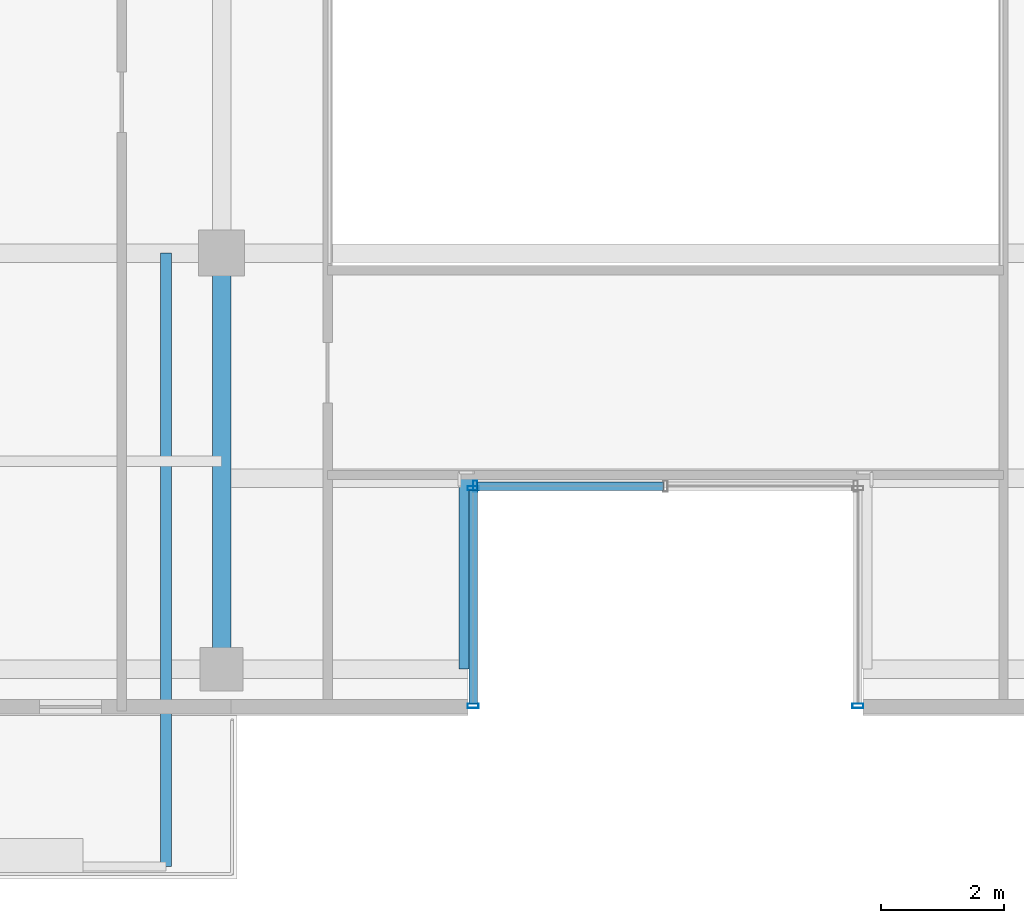
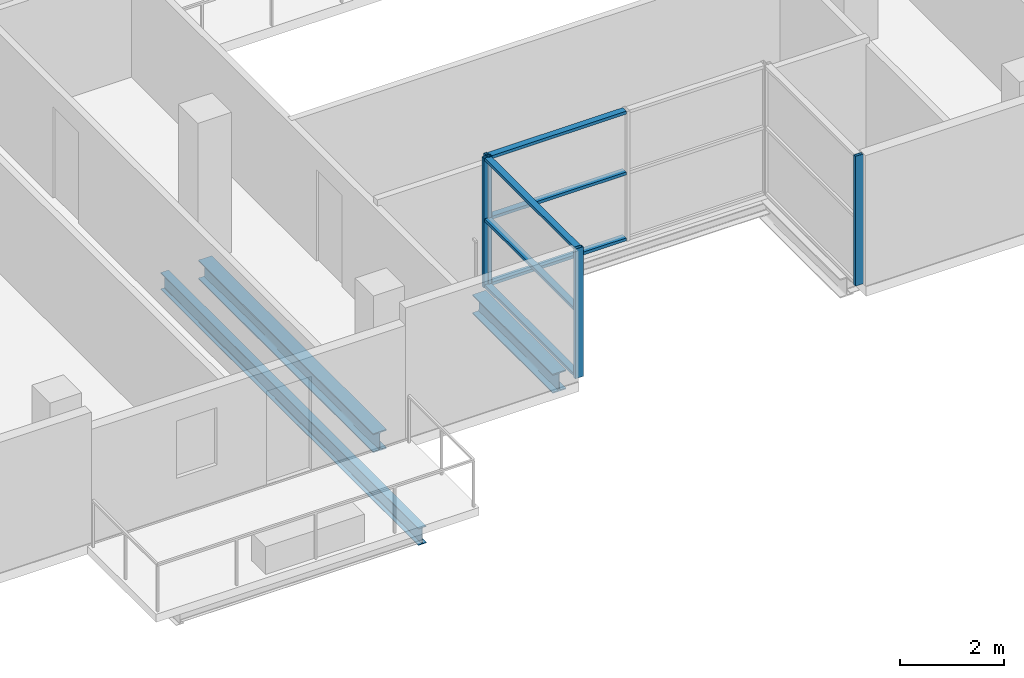
# One storey, part 3 of 22: 10 members, 3 beams, 3 elements without a shape of their own.
"""IFC4 building model written with IfcOpenShell, lengths in metres."""

import ifcopenshell
import ifcopenshell.guid

model = None  # the IFC model being written
_history = None  # IfcOwnerHistory: only IFC2X3 demands one
_inside = {}  # id of a spatial element -> (the spatial element, [elements in it])
_under = {}  # id of a project, library or spatial element -> (it, [spatial elements below it])
_declared = {}  # id of a project -> (the project, [libraries it declares])
_typed = {}  # id of a type object -> (the type object, [elements of that type])
_made_of = {}  # id of a material, layer set ... -> (it, [elements and type objects made of it])


def new_model(schema):
    """Start an empty IFC model of exactly this schema.

    Asked for "IFC4X3", IfcOpenShell would pick the latest addendum, in which some entities
    have other attributes; the version numbers below select the first issue.
    IFC2X3 requires an IfcOwnerHistory on every rooted entity: one is made here for all.
    """
    global model, _history
    if schema == "IFC4X3":
        model = ifcopenshell.file(schema_version=(4, 3, 0, 0))
    else:
        model = ifcopenshell.file(schema=schema)
    _inside.clear()
    _under.clear()
    _declared.clear()
    _typed.clear()
    _made_of.clear()
    _history = None
    if model.schema == "IFC2X3":
        org = make("IfcOrganization", Name="unknown")
        user = make(
            "IfcPersonAndOrganization",
            ThePerson=make("IfcPerson", FamilyName="unknown"),
            TheOrganization=org,
        )
        app = make(
            "IfcApplication",
            ApplicationDeveloper=org,
            Version="unknown",
            ApplicationFullName="unknown",
            ApplicationIdentifier="unknown",
        )
        _history = make(
            "IfcOwnerHistory",
            OwningUser=user,
            OwningApplication=app,
            ChangeAction="ADDED",
            CreationDate=0,
        )
    return model


def make(cls, **values):
    """One entity of the class cls with the attributes given. An attribute that is None is left unset."""
    return model.create_entity(
        cls, **{name: value for name, value in values.items() if value is not None}
    )


def rooted(cls, **values):
    """An entity with a GlobalId (a new one), such as an element, a storey or a relation."""
    return make(cls, GlobalId=ifcopenshell.guid.new(), OwnerHistory=_history, **values)


def si_unit(unit_type, name, prefix=None):
    """IfcSIUnit, for example si_unit("LENGTHUNIT", "METRE", prefix="MILLI")."""
    return make("IfcSIUnit", UnitType=unit_type, Prefix=prefix, Name=name)


def assignment(units):
    """IfcUnitAssignment: the units of a project."""
    return None if units is None else make("IfcUnitAssignment", Units=units)


def point(xyz):
    """IfcCartesianPoint."""
    return None if xyz is None else make("IfcCartesianPoint", Coordinates=xyz)


def direction(xyz):
    """IfcDirection."""
    return None if xyz is None else make("IfcDirection", DirectionRatios=xyz)


def frame(location, z_axis=None, x_axis=None):
    """IfcAxis2Placement3D, a coordinate frame: its origin and axes. An axis left out is left unset."""
    return make(
        "IfcAxis2Placement3D",
        Location=point(location),
        Axis=direction(z_axis),
        RefDirection=direction(x_axis),
    )


def frame_2d(location, x_axis=None):
    """IfcAxis2Placement2D, a coordinate frame in the plane: its origin and x axis."""
    return make(
        "IfcAxis2Placement2D", Location=point(location), RefDirection=direction(x_axis)
    )


def origin():
    """The frame at (0, 0, 0) with its axes left unset."""
    return frame((0.0, 0.0, 0.0))


def origin_2d():
    """The frame at (0, 0) in the plane with its x axis left unset."""
    return frame_2d((0.0, 0.0))


def place(relative_to, where):
    """IfcLocalPlacement: puts the frame where relative to a parent placement (None: the world)."""
    return make(
        "IfcLocalPlacement", PlacementRelTo=relative_to, RelativePlacement=where
    )


def context(
    kind, dimensions, precision=None, world=None, true_north=None, identifier=None
):
    """IfcGeometricRepresentationContext, for example the 3D "Model" context."""
    return make(
        "IfcGeometricRepresentationContext",
        ContextIdentifier=identifier,
        ContextType=kind,
        CoordinateSpaceDimension=dimensions,
        Precision=precision,
        WorldCoordinateSystem=world,
        TrueNorth=true_north,
    )


def subcontext(parent, identifier, kind, view, scale=None):
    """IfcGeometricRepresentationSubContext, for example "Body" below "Model"."""
    return make(
        "IfcGeometricRepresentationSubContext",
        ContextIdentifier=identifier,
        ContextType=kind,
        ParentContext=parent,
        TargetScale=scale,
        TargetView=view,
    )


def project(units=None, contexts=None):
    """IfcProject with its units and contexts."""
    return rooted(
        "IfcProject",
        Name="project",
        RepresentationContexts=contexts,
        UnitsInContext=assignment(units),
    )


def spatial(cls, under=None, at=None, **own):
    """A site, building, storey or space (cls), placed at a placement, below another one or the project."""
    s = rooted(cls, ObjectPlacement=at, **own)
    if under is not None:
        _under.setdefault(under.id(), (under, []))[1].append(s)
    return s


def profile(cls, at=None, kind="AREA", **sizes):
    """A parametric profile (cls). Its sizes go by their IFC names, for example OverallWidth=200.0."""
    return make(cls, ProfileType=kind, Position=at, **sizes)


def hollow_rectangle(**sizes):
    """IfcRectangleHollowProfileDef."""
    return profile("IfcRectangleHollowProfileDef", **sizes)


def i_section(**sizes):
    """IfcIShapeProfileDef."""
    return profile("IfcIShapeProfileDef", **sizes)


def extrude(swept, where, along, depth):
    """IfcExtrudedAreaSolid: the profile swept, set in the frame where, extruded along a direction by depth."""
    return make(
        "IfcExtrudedAreaSolid",
        SweptArea=swept,
        Position=where,
        ExtrudedDirection=direction(along),
        Depth=depth,
    )


def shape(context_of_items, identifier, shape_type, items):
    """IfcShapeRepresentation: the items that make up one representation, for example the "Body"."""
    return make(
        "IfcShapeRepresentation",
        ContextOfItems=context_of_items,
        RepresentationIdentifier=identifier,
        RepresentationType=shape_type,
        Items=items,
    )


def source(mapping_origin, context_of_items, identifier, shape_type, items):
    """IfcRepresentationMap: a shape defined once, which mapped items show again and again."""
    return make(
        "IfcRepresentationMap",
        MappingOrigin=mapping_origin,
        MappedRepresentation=shape(context_of_items, identifier, shape_type, items),
    )


def transform(
    local_origin,
    x_axis=None,
    y_axis=None,
    z_axis=None,
    scale=None,
    scale2=None,
    scale3=None,
    uniform=True,
):
    """IfcCartesianTransformationOperator3D, or its non-uniform kind. x_axis, y_axis, z_axis: its Axis1, 2, 3."""
    if uniform:
        return make(
            "IfcCartesianTransformationOperator3D",
            Axis1=direction(x_axis),
            Axis2=direction(y_axis),
            LocalOrigin=point(local_origin),
            Scale=scale,
            Axis3=direction(z_axis),
        )
    return make(
        "IfcCartesianTransformationOperator3DnonUniform",
        Axis1=direction(x_axis),
        Axis2=direction(y_axis),
        LocalOrigin=point(local_origin),
        Scale=scale,
        Axis3=direction(z_axis),
        Scale2=scale2,
        Scale3=scale3,
    )


def mapped(mapping_source, mapping_target):
    """IfcMappedItem: shows the shape of a source again, moved by a transform."""
    return make(
        "IfcMappedItem", MappingSource=mapping_source, MappingTarget=mapping_target
    )


def material(Name=None, Category=None):
    """IfcMaterial."""
    return make("IfcMaterial", Name=Name, Category=Category)


def layer(
    of_material, thickness, ventilated=None, Name=None, Category=None, Priority=None
):
    """IfcMaterialLayer: one layer of a wall or slab, of a material (None: an air gap)."""
    return make(
        "IfcMaterialLayer",
        Material=of_material,
        LayerThickness=thickness,
        IsVentilated=ventilated,
        Name=Name,
        Category=Category,
        Priority=Priority,
    )


def layer_set(layers, Name=None):
    """IfcMaterialLayerSet."""
    return make("IfcMaterialLayerSet", MaterialLayers=layers, LayerSetName=Name)


def material_profile(
    of_material, cross_section, Name=None, Category=None, Priority=None
):
    """IfcMaterialProfile: a cross section and its material."""
    return make(
        "IfcMaterialProfile",
        Name=Name,
        Material=of_material,
        Profile=cross_section,
        Priority=Priority,
        Category=Category,
    )


def profile_set(profiles, Name=None, composite=None):
    """IfcMaterialProfileSet."""
    return make(
        "IfcMaterialProfileSet",
        Name=Name,
        MaterialProfiles=profiles,
        CompositeProfile=composite,
    )


def made_of(thing, what):
    """Note that an element or type object is made of a material, layer set ...; save() writes the relation."""
    if what is not None:
        _made_of.setdefault(what.id(), (what, []))[1].append(thing)
    return thing


def type_object(cls, material=None, **own):
    """A type object (cls), such as IfcWallType, which elements share."""
    return made_of(rooted(cls, **own), material)


def element(
    cls,
    number,
    at=None,
    inside=None,
    cuts=None,
    type_object=None,
    material=None,
    context=None,
    identifier="Body",
    shape_type=None,
    held_by="IfcProductDefinitionShape",
    body=None,
    shapes=None,
    **own,
):
    """One element of the class cls, such as IfcWall. Its Tag is "e" and its number.

    at: its placement. inside: the storey or other place that contains it. cuts: it is an
    opening in that element (IfcRelVoidsElement). A single representation is given by context,
    identifier, shape_type and body (its items); several are given by shapes. held_by: the class
    of the entity that holds the representations. save() writes the other relations.
    """
    e = rooted(cls, Tag="e%d" % number, ObjectPlacement=at, **own)
    if body is not None:
        shapes = [shape(context, identifier, shape_type, body)]
    if shapes is not None:
        e.Representation = make(held_by, Representations=shapes)
    if inside is not None:
        _inside.setdefault(inside.id(), (inside, []))[1].append(e)
    if cuts is not None:
        rooted(
            "IfcRelVoidsElement", RelatingBuildingElement=cuts, RelatedOpeningElement=e
        )
    if type_object is not None:
        _typed.setdefault(type_object.id(), (type_object, []))[1].append(e)
    return made_of(e, material)


def aggregate(whole, parts):
    """IfcRelAggregates: a whole, such as a stair, and the parts it consists of."""
    return rooted("IfcRelAggregates", RelatingObject=whole, RelatedObjects=parts)


def save(model, path):
    """Write the relations noted so far, then the file.

    IfcRelAggregates (storeys below a building ...), IfcRelContainedInSpatialStructure (elements
    in a storey), IfcRelDefinesByType, IfcRelAssociatesMaterial and IfcRelDeclares: one each for
    every whole, place, type object, material and project.
    """
    for whole, parts in _under.values():
        aggregate(whole, parts)
    for where, things in _inside.values():
        rooted(
            "IfcRelContainedInSpatialStructure",
            RelatedElements=things,
            RelatingStructure=where,
        )
    for kind, things in _typed.values():
        rooted("IfcRelDefinesByType", RelatedObjects=things, RelatingType=kind)
    for what, things in _made_of.values():
        rooted("IfcRelAssociatesMaterial", RelatedObjects=things, RelatingMaterial=what)
    for by, libraries in _declared.values():
        rooted("IfcRelDeclares", RelatingContext=by, RelatedDefinitions=libraries)
    model.write(path)


model = new_model("IFC4")

# Units and contexts
model_context = context("Model", 3, precision=1e-05, world=origin(), true_north=direction((0.0, 1.0)))
body_context = subcontext(model_context, "Body", "Model", "MODEL_VIEW")
ifc_project = project(units=[si_unit("LENGTHUNIT", "METRE"), si_unit("AREAUNIT", "SQUARE_METRE"), si_unit("VOLUMEUNIT", "CUBIC_METRE"), si_unit("PLANEANGLEUNIT", "RADIAN"), si_unit("MASSUNIT", "GRAM", prefix="KILO")], contexts=[model_context])

# Site, building, storey
site_placement = place(None, origin())
site = spatial("IfcSite", under=ifc_project, at=site_placement, CompositionType="ELEMENT")
building_placement = place(site_placement, origin())
building = spatial("IfcBuilding", under=site, at=building_placement, Name="Zarnakvel Exchange Tower", CompositionType="ELEMENT")
storey_placement = place(building_placement, frame((0.0, 0.0, 228.699951171875)))
storey = spatial("IfcBuildingStorey", under=building, at=storey_placement, Name="L64", CompositionType="ELEMENT", Elevation=228.699951171875)

# Beams
ifc_material_1 = material(Name="Steel S355", Category="steel")
ifc_material_profile_1 = material_profile(ifc_material_1, i_section(OverallWidth=0.179931640625, OverallDepth=0.39990234375, WebThickness=0.008544921875, FlangeThickness=0.013427734375, FilletRadius=0.02099609375, at=origin_2d()))
ifc_profile_set_1 = profile_set([ifc_material_profile_1], Name="Steel S355")
beam_type_1 = type_object("IfcBeamType", Name="B-06", PredefinedType="JOIST", material=ifc_profile_set_1)
beam_1_placement = place(storey_placement, frame((-8.10009765625, -9.60009765625, -0.425048828125), z_axis=(0.0, -1.0, 0.0), x_axis=(1.0, 0.0, 0.0)))
element("IfcBeam", 1, at=beam_1_placement, inside=storey, type_object=beam_type_1, Name="L64 Continuous Back-Spanned Balcony Beam E", PredefinedType="JOIST", context=body_context, shape_type="SweptSolid", body=[
    extrude(i_section(OverallWidth=0.179931640625, OverallDepth=0.39990234375, WebThickness=0.008544921875, FlangeThickness=0.013427734375, FilletRadius=0.02099609375, at=origin_2d()), origin(), (0.0, 0.0, 1.0), 9.949951171875),
])
ifc_material_profile_2 = material_profile(ifc_material_1, i_section(OverallWidth=0.300048828125, OverallDepth=0.449951171875, WebThickness=0.013916015625, FlangeThickness=0.02587890625, FilletRadius=0.027099609375, at=origin_2d()))
ifc_profile_set_2 = profile_set([ifc_material_profile_2], Name="Steel S355")
beam_type_2 = type_object("IfcBeamType", Name="G-07", PredefinedType="BEAM", material=ifc_profile_set_2)
beam_2_placement = place(storey_placement, frame((-3.199951171875, -16.35009765625, -0.449951171875), z_axis=(0.0, 1.0, 0.0), x_axis=(-1.0, 0.0, 0.0)))
element("IfcBeam", 2, at=beam_2_placement, inside=storey, type_object=beam_type_2, Name="L64 South Slot West Cheek Beam", PredefinedType="BEAM", context=body_context, shape_type="SweptSolid", body=[
    extrude(i_section(OverallWidth=0.300048828125, OverallDepth=0.449951171875, WebThickness=0.013916015625, FlangeThickness=0.02587890625, FilletRadius=0.027099609375, at=origin_2d()), origin(), (0.0, 0.0, 1.0), 3.10009765625),
])
beam_3_placement = place(storey_placement, frame((-7.199951171875, -16.35009765625, -0.449951171875), z_axis=(0.0, 1.0, 0.0), x_axis=(-1.0, 0.0, 0.0)))
element("IfcBeam", 3, at=beam_3_placement, inside=storey, type_object=beam_type_2, Name="L64 Tower N-S Frame Beam", PredefinedType="BEAM", context=body_context, shape_type="SweptSolid", body=[
    extrude(i_section(OverallWidth=0.300048828125, OverallDepth=0.449951171875, WebThickness=0.013916015625, FlangeThickness=0.02587890625, FilletRadius=0.027099609375, at=origin_2d()), origin(), (0.0, 0.0, 1.0), 6.75),
])

# Curtain wall, members
ifc_material_2 = material(Name="Architectural Bronze Anodised Aluminium", Category="aluminium")
ifc_layer = layer(ifc_material_2, 0.179931640625)
ifc_layer_set = layer_set([ifc_layer], Name="Architectural Bronze Anodised Aluminium")
curtain_wall_type = type_object("IfcCurtainWallType", Name="CW-05", PredefinedType="NOTDEFINED", material=ifc_layer_set)
curtain_wall_1_placement = place(storey_placement, origin())
curtain_wall_1 = element("IfcCurtainWall", 4, at=curtain_wall_1_placement, inside=storey, type_object=curtain_wall_type, Name="L64 Curtain Wall CW-L64-SLW (CW-05)", PredefinedType="NOTDEFINED")
ifc_material_profile_3 = material_profile(ifc_material_2, hollow_rectangle(XDim=0.139892578125, YDim=0.070068359375, WallThickness=0.00390625, at=origin_2d()))
ifc_profile_set_3 = profile_set([ifc_material_profile_3], Name="Architectural Bronze Anodised Aluminium")
member_type_1 = type_object("IfcMemberType", Name="CWT-05", PredefinedType="USERDEFINED", material=ifc_profile_set_3)
shared_shape_1 = source(origin(), body_context, "Body", "SweptSolid", [
    extrude(hollow_rectangle(XDim=0.139892578125, YDim=0.070068359375, WallThickness=0.00390625, at=origin_2d()), origin(), (0.0, 0.0, 1.0), 3.4599609375),
])
member_1_placement = place(storey_placement, frame((-3.1201171875, -16.909912109375, 0.03515625), z_axis=(0.0, 1.0, 0.0), x_axis=(-1.0, 0.0, 0.0)))
member_1 = element("IfcMember", 5, at=member_1_placement, type_object=member_type_1, Name="CW-05 transom 1.1", ObjectType="TRANSOM", PredefinedType="USERDEFINED", context=body_context, shape_type="MappedRepresentation", body=[
    mapped(shared_shape_1, transform((0.0, 0.0, 0.0), x_axis=(1.0, 0.0, 0.0), y_axis=(0.0, 1.0, 0.0), z_axis=(0.0, 0.0, 1.0), scale=1.0)),
])
member_2_placement = place(storey_placement, frame((-3.1201171875, -16.909912109375, 1.588623046875), z_axis=(0.0, 1.0, 0.0), x_axis=(-1.0, 0.0, 0.0)))
member_2 = element("IfcMember", 6, at=member_2_placement, type_object=member_type_1, Name="CW-05 transom 1.2", ObjectType="TRANSOM", PredefinedType="USERDEFINED", context=body_context, shape_type="MappedRepresentation", body=[
    mapped(shared_shape_1, transform((0.0, 0.0, 0.0), x_axis=(1.0, 0.0, 0.0), y_axis=(0.0, 1.0, 0.0), z_axis=(0.0, 0.0, 1.0), scale=1.0)),
])
member_3_placement = place(storey_placement, frame((-3.1201171875, -16.909912109375, 3.02001953125), z_axis=(0.0, 1.0, 0.0), x_axis=(-1.0, 0.0, 0.0)))
member_3 = element("IfcMember", 7, at=member_3_placement, type_object=member_type_1, Name="CW-05 transom 1.3", ObjectType="TRANSOM", PredefinedType="USERDEFINED", context=body_context, shape_type="MappedRepresentation", body=[
    mapped(shared_shape_1, transform((0.0, 0.0, 0.0), x_axis=(1.0, 0.0, 0.0), y_axis=(0.0, 1.0, 0.0), z_axis=(0.0, 0.0, 1.0), scale=1.0)),
])

curtain_wall_2_placement = place(storey_placement, origin())
curtain_wall_2 = element("IfcCurtainWall", 8, at=curtain_wall_2_placement, inside=storey, type_object=curtain_wall_type, Name="L64 Curtain Wall CW-L64-SLB (CW-05)", PredefinedType="NOTDEFINED")
shared_shape_2 = source(origin(), body_context, "Body", "SweptSolid", [
    extrude(hollow_rectangle(XDim=0.139892578125, YDim=0.070068359375, WallThickness=0.00390625, at=origin_2d()), origin(), (0.0, 0.0, 1.0), 3.01513671875),
])
member_4_placement = place(storey_placement, frame((-3.050048828125, -13.3798828125, 0.03515625), z_axis=(1.0, 0.0, 0.0), x_axis=(0.0, 1.0, 0.0)))
member_4 = element("IfcMember", 9, at=member_4_placement, type_object=member_type_1, Name="CW-05 transom 1.1", ObjectType="TRANSOM", PredefinedType="USERDEFINED", context=body_context, shape_type="MappedRepresentation", body=[
    mapped(shared_shape_2, transform((0.0, 0.0, 0.0), x_axis=(1.0, 0.0, 0.0), y_axis=(0.0, 1.0, 0.0), z_axis=(0.0, 0.0, 1.0), scale=1.0)),
])
member_5_placement = place(storey_placement, frame((-3.050048828125, -13.3798828125, 1.588623046875), z_axis=(1.0, 0.0, 0.0), x_axis=(0.0, 1.0, 0.0)))
member_5 = element("IfcMember", 10, at=member_5_placement, type_object=member_type_1, Name="CW-05 transom 1.2", ObjectType="TRANSOM", PredefinedType="USERDEFINED", context=body_context, shape_type="MappedRepresentation", body=[
    mapped(shared_shape_2, transform((0.0, 0.0, 0.0), x_axis=(1.0, 0.0, 0.0), y_axis=(0.0, 1.0, 0.0), z_axis=(0.0, 0.0, 1.0), scale=1.0)),
])
member_6_placement = place(storey_placement, frame((-3.050048828125, -13.3798828125, 3.02001953125), z_axis=(1.0, 0.0, 0.0), x_axis=(0.0, 1.0, 0.0)))
member_6 = element("IfcMember", 11, at=member_6_placement, type_object=member_type_1, Name="CW-05 transom 1.3", ObjectType="TRANSOM", PredefinedType="USERDEFINED", context=body_context, shape_type="MappedRepresentation", body=[
    mapped(shared_shape_2, transform((0.0, 0.0, 0.0), x_axis=(1.0, 0.0, 0.0), y_axis=(0.0, 1.0, 0.0), z_axis=(0.0, 0.0, 1.0), scale=1.0)),
])

# Member
ifc_material_profile_4 = material_profile(ifc_material_2, hollow_rectangle(XDim=0.179931640625, YDim=0.070068359375, WallThickness=0.00390625, at=origin_2d()))
ifc_profile_set_4 = profile_set([ifc_material_profile_4], Name="Architectural Bronze Anodised Aluminium")
member_type_2 = type_object("IfcMemberType", Name="CWM-05", PredefinedType="MULLION", material=ifc_profile_set_4)
shared_shape_3 = source(origin(), body_context, "Body", "SweptSolid", [
    extrude(hollow_rectangle(XDim=0.179931640625, YDim=0.070068359375, WallThickness=0.00390625, at=origin_2d()), origin(), (0.0, 0.0, 1.0), 3.054931640625),
])
member_7_placement = place(storey_placement, frame((-3.1201171875, -16.945068359375, 0.0), z_axis=(0.0, 0.0, 1.0), x_axis=(-1.0, 0.0, 0.0)))
member_7 = element("IfcMember", 12, at=member_7_placement, type_object=member_type_2, Name="CW-05 mullion 1", PredefinedType="MULLION", context=body_context, shape_type="MappedRepresentation", body=[
    mapped(shared_shape_3, transform((0.0, 0.0, 0.0), x_axis=(1.0, 0.0, 0.0), y_axis=(0.0, 1.0, 0.0), z_axis=(0.0, 0.0, 1.0), scale=1.0)),
])

member_8_placement = place(storey_placement, frame((-3.1201171875, -13.4150390625, 0.0), z_axis=(0.0, 0.0, 1.0), x_axis=(-1.0, 0.0, 0.0)))
member_8 = element("IfcMember", 13, at=member_8_placement, type_object=member_type_2, Name="CW-05 mullion 2", PredefinedType="MULLION", context=body_context, shape_type="MappedRepresentation", body=[
    mapped(shared_shape_3, transform((0.0, 0.0, 0.0), x_axis=(1.0, 0.0, 0.0), y_axis=(0.0, 1.0, 0.0), z_axis=(0.0, 0.0, 1.0), scale=1.0)),
])

aggregate(curtain_wall_1, [member_7, member_8, member_1, member_2, member_3])

member_9_placement = place(storey_placement, frame((-3.0849609375, -13.3798828125, 0.0), z_axis=(0.0, 0.0, 1.0), x_axis=(0.0, 1.0, 0.0)))
member_9 = element("IfcMember", 14, at=member_9_placement, type_object=member_type_2, Name="CW-05 mullion 1", PredefinedType="MULLION", context=body_context, shape_type="MappedRepresentation", body=[
    mapped(shared_shape_3, transform((0.0, 0.0, 0.0), x_axis=(1.0, 0.0, 0.0), y_axis=(0.0, 1.0, 0.0), z_axis=(0.0, 0.0, 1.0), scale=1.0)),
])

aggregate(curtain_wall_2, [member_9, member_4, member_5, member_6])

# Curtain wall, member
curtain_wall_3_placement = place(storey_placement, origin())
curtain_wall_3 = element("IfcCurtainWall", 15, at=curtain_wall_3_placement, inside=storey, type_object=curtain_wall_type, Name="L64 Curtain Wall CW-L64-SLE (CW-05)", PredefinedType="NOTDEFINED")
member_10_placement = place(storey_placement, frame((3.1201171875, -16.945068359375, 0.0), z_axis=(0.0, 0.0, 1.0), x_axis=(1.0, 0.0, 0.0)))
member_10 = element("IfcMember", 16, at=member_10_placement, type_object=member_type_2, Name="CW-05 mullion 2", PredefinedType="MULLION", context=body_context, shape_type="MappedRepresentation", body=[
    mapped(shared_shape_3, transform((0.0, 0.0, 0.0), x_axis=(1.0, 0.0, 0.0), y_axis=(0.0, 1.0, 0.0), z_axis=(0.0, 0.0, 1.0), scale=1.0)),
])
aggregate(curtain_wall_3, [member_10])

save(model, "model.ifc")
